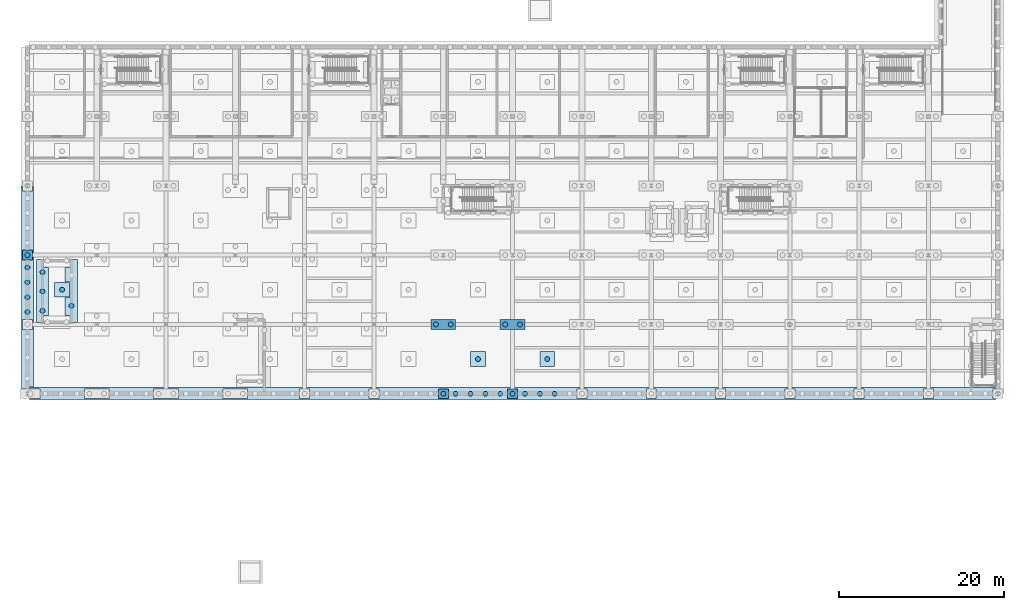
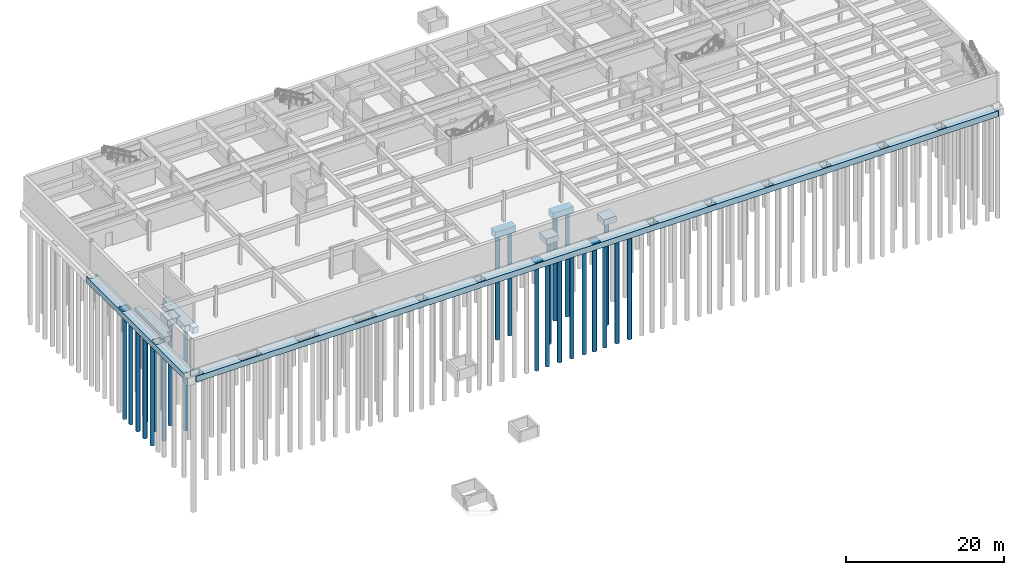
# One storey, part 2 of 33: 25 piles, 12 footings.
"""IFC4 building model written with IfcOpenShell, lengths in metres."""

from ifc_helpers import new_model, si_unit, direction, frame, origin, origin_2d, place, context, subcontext, project, spatial, polyline, circle, outline, extrude, material, layer, layer_set, material_profile, profile_set, type_object, element, save


model = new_model("IFC4")

# Units and contexts
model_context = context("Model", 3, precision=1e-05, world=origin(), true_north=direction((0.0, 1.0)))
body_context = subcontext(model_context, "Body", "Model", "MODEL_VIEW")
ifc_project = project(units=[si_unit("LENGTHUNIT", "METRE"), si_unit("AREAUNIT", "SQUARE_METRE"), si_unit("VOLUMEUNIT", "CUBIC_METRE"), si_unit("PLANEANGLEUNIT", "RADIAN"), si_unit("MASSUNIT", "GRAM", prefix="KILO")], contexts=[model_context])

# Site, building, storey
site_placement = place(None, origin())
site = spatial("IfcSite", under=ifc_project, at=site_placement, CompositionType="ELEMENT")
building_placement = place(site_placement, origin())
building = spatial("IfcBuilding", under=site, at=building_placement, Name="Ljudholm Concert House", CompositionType="ELEMENT")
storey_placement = place(building_placement, frame((0.0, 0.0, -4.60009765625)))
storey = spatial("IfcBuildingStorey", under=building, at=storey_placement, Name="B1", CompositionType="ELEMENT", Elevation=-4.60009765625)

# Piles
ifc_material_1 = material(Name="Concrete 5,000 psi", Category="concrete")
ifc_material_profile = material_profile(ifc_material_1, circle(Radius=0.300048828125, at=origin_2d()), Name="AUGER-CAST PILE D600")
ifc_profile_set = profile_set([ifc_material_profile], Name="Concrete 5,000 psi")
pile_type = type_object("IfcPileType", Name="AUGER-CAST PILE D600", PredefinedType="BORED", material=ifc_profile_set)
for number, where, z_axis, x_axis, name in (
    (1, (4.0, 121.60009765625, -1.89990234375), (0.0, 0.0, -1.0), (1.0, 0.0, 0.0), "Pile D600"),
    (2, (54.39990234375, 104.800048828125, -1.89990234375), (0.0, 0.0, -1.0), (1.0, 0.0, 0.0), "Pile D600"),
    (3, (53.5, 113.199951171875, -1.89990234375), (0.0, 0.0, -1.0), (1.0, 0.0, 0.0), "Pile D600"),
    (4, (55.300048828125, 113.199951171875, -1.89990234375), (0.0, 0.0, -1.0), (1.0, 0.0, 0.0), "Pile D600"),
    (5, (62.800048828125, 104.800048828125, -1.89990234375), (0.0, 0.0, -1.0), (1.0, 0.0, 0.0), "Pile D600"),
    (6, (61.89990234375, 113.199951171875, -1.89990234375), (0.0, 0.0, -1.0), (1.0, 0.0, 0.0), "Pile D600"),
    (7, (63.699951171875, 113.199951171875, -1.89990234375), (0.0, 0.0, -1.0), (1.0, 0.0, 0.0), "Pile D600"),
    (8, (55.89990234375, 104.800048828125, -1.7998046875), (0.0, 0.0, -1.0), (1.0, 0.0, 0.0), "Pile D600"),
    (9, (57.699951171875, 104.800048828125, -1.7998046875), (0.0, 0.0, -1.0), (1.0, 0.0, 0.0), "Pile D600"),
    (10, (59.5, 104.800048828125, -1.7998046875), (0.0, 0.0, -1.0), (1.0, 0.0, 0.0), "Pile D600"),
    (11, (61.300048828125, 104.800048828125, -1.7998046875), (0.0, 0.0, -1.0), (1.0, 0.0, 0.0), "Pile D600"),
    (12, (64.300048828125, 104.800048828125, -1.7998046875), (0.0, 0.0, -1.0), (1.0, 0.0, 0.0), "Pile D600"),
    (13, (66.10009765625, 104.800048828125, -1.7998046875), (0.0, 0.0, -1.0), (1.0, 0.0, 0.0), "Pile D600"),
    (14, (67.89990234375, 104.800048828125, -1.7998046875), (0.0, 0.0, -1.0), (1.0, 0.0, 0.0), "Pile D600"),
    (15, (4.0, 114.699951171875, -1.7998046875), (0.0, 0.0, -1.0), (1.0, 0.0, 0.0), "Pile D600"),
    (16, (4.0, 116.5, -1.7998046875), (0.0, 0.0, -1.0), (1.0, 0.0, 0.0), "Pile D600"),
    (17, (4.0, 118.300048828125, -1.7998046875), (0.0, 0.0, -1.0), (1.0, 0.0, 0.0), "Pile D600"),
    (18, (4.0, 120.10009765625, -1.7998046875), (0.0, 0.0, -1.0), (1.0, 0.0, 0.0), "Pile D600"),
    (19, (58.60009765625, 109.0, -1.7998046875), (0.0, 0.0, -1.0), (1.0, 0.0, 0.0), "Pile D600"),
    (20, (67.0, 109.0, -1.7998046875), (0.0, 0.0, -1.0), (1.0, 0.0, 0.0), "Pile D600"),
    (21, (8.199951171875, 117.39990234375, -1.7998046875), (0.0, 0.0, -1.0), (1.0, 0.0, 0.0), "Pile D600"),
    (22, (9.324951171875, 115.452880859375, -1.7998046875), (0.0, 0.0, -1.0), (1.0, 0.0, 0.0), "Pile D600"),
    (23, (5.824951171875, 114.849365234375, -1.7998046875), (0.0, 0.0, -1.0), (1.0, 0.0, 0.0), "Pile D600"),
    (24, (5.824951171875, 117.199951171875, -1.7998046875), (0.0, 0.0, -1.0), (1.0, 0.0, 0.0), "Pile D600"),
    (25, (5.824951171875, 119.55078125, -1.7998046875), (0.0, 0.0, -1.0), (1.0, 0.0, 0.0), "Pile D600"),
):
    element("IfcPile", number, at=place(storey_placement, frame(where, z_axis=z_axis, x_axis=x_axis)), inside=storey, type_object=pile_type, Name=name, PredefinedType="BORED", context=body_context, shape_type="SweptSolid", body=[
        extrude(circle(Radius=0.300048828125, at=origin_2d()), origin(), (0.0, 0.0, 1.0), 16.0),
    ])

# Footings
ifc_material_2 = material(Name="Concrete 5,000 psi", Category="concrete")
ifc_layer_1 = layer(ifc_material_2, 1.0)
ifc_layer_set_1 = layer_set([ifc_layer_1], Name="Concrete 5,000 psi")
footing_type_1 = type_object("IfcFootingType", Name="RC PILE CAP 1200x1200x1000", PredefinedType="PILE_CAP", material=ifc_layer_set_1)
footing_1_placement = place(storey_placement, frame((0.0, 0.0, -1.89990234375)))
element("IfcFooting", 26, at=footing_1_placement, inside=storey, type_object=footing_type_1, Name="Pile cap", PredefinedType="PILE_CAP", context=body_context, shape_type="SweptSolid", body=[
    extrude(outline(polyline([(3.39990234375, 122.18994140625), (3.39990234375, 121.010009765625), (3.40087890625, 121.006103515625), (3.40283203125, 121.0029296875), (3.40625, 121.000732421875), (3.409912109375, 121.0), (4.590087890625, 121.0), (4.59375, 121.000732421875), (4.59716796875, 121.0029296875), (4.59912109375, 121.006103515625), (4.60009765625, 121.010009765625), (4.60009765625, 122.18994140625), (4.59912109375, 122.19384765625), (4.59716796875, 122.197021484375), (4.59375, 122.19921875), (4.590087890625, 122.199951171875), (3.409912109375, 122.199951171875), (3.40625, 122.19921875), (3.40283203125, 122.197021484375), (3.40087890625, 122.19384765625), (3.39990234375, 122.18994140625)])), origin(), (0.0, 0.0, 1.0), 1.0),
])
footing_2_placement = place(storey_placement, frame((0.0, 0.0, -1.89990234375)))
element("IfcFooting", 27, at=footing_2_placement, inside=storey, type_object=footing_type_1, Name="Pile cap", PredefinedType="PILE_CAP", context=body_context, shape_type="SweptSolid", body=[
    extrude(outline(polyline([(53.81005859375, 104.199951171875), (54.989990234375, 104.199951171875), (54.993896484375, 104.20068359375), (54.9970703125, 104.202880859375), (54.999267578125, 104.2060546875), (55.0, 104.2099609375), (55.0, 105.389892578125), (54.999267578125, 105.393798828125), (54.9970703125, 105.39697265625), (54.993896484375, 105.399169921875), (54.989990234375, 105.39990234375), (53.81005859375, 105.39990234375), (53.80615234375, 105.399169921875), (53.802978515625, 105.39697265625), (53.80078125, 105.393798828125), (53.800048828125, 105.389892578125), (53.800048828125, 104.2099609375), (53.80078125, 104.2060546875), (53.802978515625, 104.202880859375), (53.80615234375, 104.20068359375), (53.81005859375, 104.199951171875)])), origin(), (0.0, 0.0, 1.0), 1.0),
])
footing_3_placement = place(storey_placement, frame((0.0, 0.0, -1.89990234375)))
element("IfcFooting", 28, at=footing_3_placement, inside=storey, type_object=footing_type_1, Name="Pile cap", PredefinedType="PILE_CAP", context=body_context, shape_type="SweptSolid", body=[
    extrude(outline(polyline([(62.2099609375, 104.199951171875), (63.389892578125, 104.199951171875), (63.393798828125, 104.20068359375), (63.39697265625, 104.202880859375), (63.399169921875, 104.2060546875), (63.39990234375, 104.2099609375), (63.39990234375, 105.389892578125), (63.399169921875, 105.393798828125), (63.39697265625, 105.39697265625), (63.393798828125, 105.399169921875), (63.389892578125, 105.39990234375), (62.2099609375, 105.39990234375), (62.2060546875, 105.399169921875), (62.202880859375, 105.39697265625), (62.20068359375, 105.393798828125), (62.199951171875, 105.389892578125), (62.199951171875, 104.2099609375), (62.20068359375, 104.2060546875), (62.202880859375, 104.202880859375), (62.2060546875, 104.20068359375), (62.2099609375, 104.199951171875)])), origin(), (0.0, 0.0, 1.0), 1.0),
])
ifc_material_3 = material(Name="Concrete 5,000 psi", Category="concrete")
ifc_layer_2 = layer(ifc_material_3, 0.89990234375)
ifc_layer_set_2 = layer_set([ifc_layer_2], Name="Concrete 5,000 psi")
footing_type_2 = type_object("IfcFootingType", Name="RC PILE CAP 1800x1800x900", PredefinedType="PILE_CAP", material=ifc_layer_set_2)
footing_4_placement = place(storey_placement, frame((0.0, 0.0, -1.7998046875)))
element("IfcFooting", 29, at=footing_4_placement, inside=storey, type_object=footing_type_2, Name="Uplift pile cap", PredefinedType="PILE_CAP", context=body_context, shape_type="SweptSolid", body=[
    extrude(outline(polyline([(57.7099609375, 108.10009765625), (59.489990234375, 108.10009765625), (59.493896484375, 108.100830078125), (59.4970703125, 108.10302734375), (59.499267578125, 108.106201171875), (59.5, 108.110107421875), (59.5, 109.889892578125), (59.499267578125, 109.893798828125), (59.4970703125, 109.89697265625), (59.493896484375, 109.899169921875), (59.489990234375, 109.89990234375), (57.7099609375, 109.89990234375), (57.7060546875, 109.899169921875), (57.702880859375, 109.89697265625), (57.70068359375, 109.893798828125), (57.699951171875, 109.889892578125), (57.699951171875, 108.110107421875), (57.70068359375, 108.106201171875), (57.702880859375, 108.10302734375), (57.7060546875, 108.100830078125), (57.7099609375, 108.10009765625)])), origin(), (0.0, 0.0, 1.0), 0.89990234375),
])
footing_5_placement = place(storey_placement, frame((0.0, 0.0, -1.7998046875)))
element("IfcFooting", 30, at=footing_5_placement, inside=storey, type_object=footing_type_2, Name="Uplift pile cap", PredefinedType="PILE_CAP", context=body_context, shape_type="SweptSolid", body=[
    extrude(outline(polyline([(66.110107421875, 108.10009765625), (67.889892578125, 108.10009765625), (67.893798828125, 108.100830078125), (67.89697265625, 108.10302734375), (67.899169921875, 108.106201171875), (67.89990234375, 108.110107421875), (67.89990234375, 109.889892578125), (67.899169921875, 109.893798828125), (67.89697265625, 109.89697265625), (67.893798828125, 109.899169921875), (67.889892578125, 109.89990234375), (66.110107421875, 109.89990234375), (66.106201171875, 109.899169921875), (66.10302734375, 109.89697265625), (66.100830078125, 109.893798828125), (66.10009765625, 109.889892578125), (66.10009765625, 108.110107421875), (66.100830078125, 108.106201171875), (66.10302734375, 108.10302734375), (66.106201171875, 108.100830078125), (66.110107421875, 108.10009765625)])), origin(), (0.0, 0.0, 1.0), 0.89990234375),
])
footing_6_placement = place(storey_placement, frame((0.0, 0.0, -1.7998046875)))
element("IfcFooting", 31, at=footing_6_placement, inside=storey, type_object=footing_type_2, Name="Uplift pile cap", PredefinedType="PILE_CAP", context=body_context, shape_type="SweptSolid", body=[
    extrude(outline(polyline([(7.31005859375, 116.5), (9.090087890625, 116.5), (9.09375, 116.500732421875), (9.09716796875, 116.5029296875), (9.09912109375, 116.506103515625), (9.10009765625, 116.510009765625), (9.10009765625, 118.2900390625), (9.09912109375, 118.2939453125), (9.09716796875, 118.297119140625), (9.09375, 118.29931640625), (9.090087890625, 118.300048828125), (7.31005859375, 118.300048828125), (7.30615234375, 118.29931640625), (7.302978515625, 118.297119140625), (7.30078125, 118.2939453125), (7.300048828125, 118.2900390625), (7.300048828125, 116.510009765625), (7.30078125, 116.506103515625), (7.302978515625, 116.5029296875), (7.30615234375, 116.500732421875), (7.31005859375, 116.5)])), origin(), (0.0, 0.0, 1.0), 0.89990234375),
])
ifc_material_4 = material(Name="Concrete 5,000 psi", Category="concrete")
ifc_layer_3 = layer(ifc_material_4, 1.0)
ifc_layer_set_3 = layer_set([ifc_layer_3], Name="Concrete 5,000 psi")
footing_type_3 = type_object("IfcFootingType", Name="RC PILE CAP 3000x1200x1000", PredefinedType="PILE_CAP", material=ifc_layer_set_3)
footing_7_placement = place(storey_placement, frame((0.0, 0.0, -1.89990234375)))
element("IfcFooting", 32, at=footing_7_placement, inside=storey, type_object=footing_type_3, Name="Pile cap", PredefinedType="PILE_CAP", context=body_context, shape_type="SweptSolid", body=[
    extrude(outline(polyline([(52.89990234375, 113.7900390625), (52.89990234375, 112.610107421875), (52.901611328125, 112.6044921875), (52.90625, 112.600830078125), (52.909912109375, 112.60009765625), (55.889892578125, 112.60009765625), (55.8955078125, 112.601806640625), (55.899169921875, 112.606201171875), (55.89990234375, 112.610107421875), (55.89990234375, 113.7900390625), (55.898193359375, 113.795654296875), (55.893798828125, 113.79931640625), (55.889892578125, 113.800048828125), (52.909912109375, 113.800048828125), (52.90625, 113.79931640625), (52.90283203125, 113.797119140625), (52.90087890625, 113.7939453125), (52.89990234375, 113.7900390625)])), origin(), (0.0, 0.0, 1.0), 1.0),
])
footing_8_placement = place(storey_placement, frame((0.0, 0.0, -1.89990234375)))
element("IfcFooting", 33, at=footing_8_placement, inside=storey, type_object=footing_type_3, Name="Pile cap", PredefinedType="PILE_CAP", context=body_context, shape_type="SweptSolid", body=[
    extrude(outline(polyline([(61.300048828125, 113.7900390625), (61.300048828125, 112.610107421875), (61.3017578125, 112.6044921875), (61.30615234375, 112.600830078125), (61.31005859375, 112.60009765625), (64.2900390625, 112.60009765625), (64.295654296875, 112.601806640625), (64.29931640625, 112.606201171875), (64.300048828125, 112.610107421875), (64.300048828125, 113.7900390625), (64.29833984375, 113.795654296875), (64.2939453125, 113.79931640625), (64.2900390625, 113.800048828125), (61.31005859375, 113.800048828125), (61.30615234375, 113.79931640625), (61.302978515625, 113.797119140625), (61.30078125, 113.7939453125), (61.300048828125, 113.7900390625)])), origin(), (0.0, 0.0, 1.0), 1.0),
])
ifc_material_5 = material(Name="Concrete 5,000 psi", Category="concrete")
ifc_layer_4 = layer(ifc_material_5, 0.89990234375)
ifc_layer_set_4 = layer_set([ifc_layer_4], Name="Concrete 5,000 psi")
footing_type_4 = type_object("IfcFootingType", Name="RC STRIP FOOTING 1500x900", PredefinedType="STRIP_FOOTING", material=ifc_layer_set_4)
footing_9_placement = place(storey_placement, frame((0.0, 0.0, -1.7998046875)))
element("IfcFooting", 34, at=footing_9_placement, inside=storey, type_object=footing_type_4, Name="Strip footing", PredefinedType="STRIP_FOOTING", context=body_context, shape_type="SweptSolid", body=[
    extrude(outline(polyline([(4.260009765625, 104.050048828125), (121.340087890625, 104.050048828125), (121.34375, 104.05078125), (121.34716796875, 104.052978515625), (121.34912109375, 104.05615234375), (121.35009765625, 104.06005859375), (121.35009765625, 104.18994140625), (121.348388671875, 104.195556640625), (121.34375, 104.19921875), (121.340087890625, 104.199951171875), (121.01025390625, 104.199951171875), (121.00439453125, 104.20166015625), (121.001708984375, 104.204345703125), (121.00048828125, 104.20703125), (121.0, 105.3896484375), (121.000732421875, 105.393798828125), (121.0029296875, 105.39697265625), (121.006103515625, 105.399169921875), (121.01025390625, 105.39990234375), (121.340087890625, 105.39990234375), (121.34375, 105.40087890625), (121.348388671875, 105.404541015625), (121.35009765625, 105.409912109375), (121.35009765625, 105.5400390625), (121.34912109375, 105.5439453125), (121.34716796875, 105.547119140625), (121.34375, 105.54931640625), (121.340087890625, 105.550048828125), (4.260009765625, 105.550048828125), (4.256103515625, 105.54931640625), (4.2529296875, 105.547119140625), (4.250732421875, 105.5439453125), (4.25, 105.5400390625), (4.25, 105.408935546875), (4.251220703125, 105.4052734375), (4.2529296875, 105.40283203125), (4.256103515625, 105.40087890625), (4.259033203125, 105.400146484375), (5.48974609375, 105.39990234375), (5.493896484375, 105.399169921875), (5.4970703125, 105.39697265625), (5.499267578125, 105.393798828125), (5.5, 105.3896484375), (5.5, 104.210205078125), (5.499267578125, 104.206298828125), (5.4970703125, 104.202880859375), (5.493896484375, 104.20068359375), (5.48974609375, 104.199951171875), (4.259033203125, 104.199951171875), (4.256103515625, 104.19921875), (4.2529296875, 104.197021484375), (4.251220703125, 104.19482421875), (4.25, 104.19091796875), (4.25, 104.06005859375), (4.250732421875, 104.05615234375), (4.2529296875, 104.052978515625), (4.256103515625, 104.05078125), (4.260009765625, 104.050048828125)]), holes=[polyline([(112.60009765625, 104.210205078125), (112.60009765625, 105.3896484375), (112.600830078125, 105.393798828125), (112.60302734375, 105.39697265625), (112.606201171875, 105.399169921875), (112.6103515625, 105.39990234375), (113.789794921875, 105.39990234375), (113.793701171875, 105.399169921875), (113.797119140625, 105.39697265625), (113.79931640625, 105.393798828125), (113.800048828125, 105.3896484375), (113.800048828125, 104.210205078125), (113.79931640625, 104.206298828125), (113.797119140625, 104.202880859375), (113.793701171875, 104.20068359375), (113.789794921875, 104.199951171875), (112.6103515625, 104.199951171875), (112.606201171875, 104.20068359375), (112.60302734375, 104.202880859375), (112.600830078125, 104.206298828125), (112.60009765625, 104.210205078125)]), polyline([(104.199951171875, 104.210205078125), (104.199951171875, 105.3896484375), (104.20068359375, 105.393798828125), (104.202880859375, 105.39697265625), (104.206298828125, 105.399169921875), (104.210205078125, 105.39990234375), (105.3896484375, 105.39990234375), (105.393798828125, 105.399169921875), (105.39697265625, 105.39697265625), (105.399169921875, 105.393798828125), (105.39990234375, 105.3896484375), (105.39990234375, 104.210205078125), (105.399169921875, 104.206298828125), (105.39697265625, 104.202880859375), (105.393798828125, 104.20068359375), (105.3896484375, 104.199951171875), (104.210205078125, 104.199951171875), (104.206298828125, 104.20068359375), (104.202880859375, 104.202880859375), (104.20068359375, 104.206298828125), (104.199951171875, 104.210205078125)]), polyline([(95.800048828125, 104.210205078125), (95.800048828125, 105.3896484375), (95.80078125, 105.393798828125), (95.802978515625, 105.39697265625), (95.80615234375, 105.399169921875), (95.810302734375, 105.39990234375), (96.98974609375, 105.39990234375), (96.993896484375, 105.399169921875), (96.9970703125, 105.39697265625), (96.999267578125, 105.393798828125), (97.0, 105.3896484375), (97.0, 104.210205078125), (96.999267578125, 104.206298828125), (96.9970703125, 104.202880859375), (96.993896484375, 104.20068359375), (96.98974609375, 104.199951171875), (95.810302734375, 104.199951171875), (95.80615234375, 104.20068359375), (95.802978515625, 104.202880859375), (95.80078125, 104.206298828125), (95.800048828125, 104.210205078125)]), polyline([(87.39990234375, 104.210205078125), (87.39990234375, 105.3896484375), (87.40087890625, 105.393798828125), (87.40283203125, 105.39697265625), (87.40625, 105.399169921875), (87.41015625, 105.39990234375), (88.58984375, 105.39990234375), (88.59375, 105.399169921875), (88.59716796875, 105.39697265625), (88.59912109375, 105.393798828125), (88.60009765625, 105.3896484375), (88.60009765625, 104.210205078125), (88.59912109375, 104.206298828125), (88.59716796875, 104.202880859375), (88.59375, 104.20068359375), (88.58984375, 104.199951171875), (87.41015625, 104.199951171875), (87.40625, 104.20068359375), (87.40283203125, 104.202880859375), (87.40087890625, 104.206298828125), (87.39990234375, 104.210205078125)]), polyline([(79.0, 104.210205078125), (79.0, 105.3896484375), (79.000732421875, 105.393798828125), (79.0029296875, 105.39697265625), (79.006103515625, 105.399169921875), (79.01025390625, 105.39990234375), (80.189697265625, 105.39990234375), (80.19384765625, 105.399169921875), (80.197021484375, 105.39697265625), (80.19921875, 105.393798828125), (80.199951171875, 105.3896484375), (80.199951171875, 104.210205078125), (80.19921875, 104.206298828125), (80.197021484375, 104.202880859375), (80.19384765625, 104.20068359375), (80.189697265625, 104.199951171875), (79.01025390625, 104.199951171875), (79.006103515625, 104.20068359375), (79.0029296875, 104.202880859375), (79.000732421875, 104.206298828125), (79.0, 104.210205078125)]), polyline([(70.60009765625, 104.210205078125), (70.60009765625, 105.3896484375), (70.600830078125, 105.393798828125), (70.60302734375, 105.39697265625), (70.606201171875, 105.399169921875), (70.6103515625, 105.39990234375), (71.789794921875, 105.39990234375), (71.793701171875, 105.399169921875), (71.797119140625, 105.39697265625), (71.79931640625, 105.393798828125), (71.800048828125, 105.3896484375), (71.800048828125, 104.210205078125), (71.79931640625, 104.206298828125), (71.797119140625, 104.202880859375), (71.793701171875, 104.20068359375), (71.789794921875, 104.199951171875), (70.6103515625, 104.199951171875), (70.606201171875, 104.20068359375), (70.60302734375, 104.202880859375), (70.600830078125, 104.206298828125), (70.60009765625, 104.210205078125)]), polyline([(62.199951171875, 104.210205078125), (62.199951171875, 105.3896484375), (62.20068359375, 105.393798828125), (62.202880859375, 105.39697265625), (62.206298828125, 105.399169921875), (62.210205078125, 105.39990234375), (63.3896484375, 105.39990234375), (63.393798828125, 105.399169921875), (63.39697265625, 105.39697265625), (63.399169921875, 105.393798828125), (63.39990234375, 105.3896484375), (63.39990234375, 104.210205078125), (63.399169921875, 104.206298828125), (63.39697265625, 104.202880859375), (63.393798828125, 104.20068359375), (63.3896484375, 104.199951171875), (62.210205078125, 104.199951171875), (62.206298828125, 104.20068359375), (62.202880859375, 104.202880859375), (62.20068359375, 104.206298828125), (62.199951171875, 104.210205078125)]), polyline([(53.800048828125, 104.210205078125), (53.800048828125, 105.3896484375), (53.80078125, 105.393798828125), (53.802978515625, 105.39697265625), (53.80615234375, 105.399169921875), (53.810302734375, 105.39990234375), (54.98974609375, 105.39990234375), (54.993896484375, 105.399169921875), (54.9970703125, 105.39697265625), (54.999267578125, 105.393798828125), (55.0, 105.3896484375), (55.0, 104.210205078125), (54.999267578125, 104.206298828125), (54.9970703125, 104.202880859375), (54.993896484375, 104.20068359375), (54.98974609375, 104.199951171875), (53.810302734375, 104.199951171875), (53.80615234375, 104.20068359375), (53.802978515625, 104.202880859375), (53.80078125, 104.206298828125), (53.800048828125, 104.210205078125)]), polyline([(45.39990234375, 104.210205078125), (45.39990234375, 105.3896484375), (45.40087890625, 105.393798828125), (45.40283203125, 105.39697265625), (45.40625, 105.399169921875), (45.41015625, 105.39990234375), (46.58984375, 105.39990234375), (46.59375, 105.399169921875), (46.59716796875, 105.39697265625), (46.59912109375, 105.393798828125), (46.60009765625, 105.3896484375), (46.60009765625, 104.210205078125), (46.59912109375, 104.206298828125), (46.59716796875, 104.202880859375), (46.59375, 104.20068359375), (46.58984375, 104.199951171875), (45.41015625, 104.199951171875), (45.40625, 104.20068359375), (45.40283203125, 104.202880859375), (45.40087890625, 104.206298828125), (45.39990234375, 104.210205078125)]), polyline([(37.0, 104.210205078125), (37.0, 105.3896484375), (37.000732421875, 105.393798828125), (37.0029296875, 105.39697265625), (37.006103515625, 105.399169921875), (37.01025390625, 105.39990234375), (38.189697265625, 105.39990234375), (38.19384765625, 105.399169921875), (38.197021484375, 105.39697265625), (38.19921875, 105.393798828125), (38.199951171875, 105.3896484375), (38.199951171875, 104.210205078125), (38.19921875, 104.206298828125), (38.197021484375, 104.202880859375), (38.19384765625, 104.20068359375), (38.189697265625, 104.199951171875), (37.01025390625, 104.199951171875), (37.006103515625, 104.20068359375), (37.0029296875, 104.202880859375), (37.000732421875, 104.206298828125), (37.0, 104.210205078125)]), polyline([(27.699951171875, 104.210205078125), (27.699951171875, 105.3896484375), (27.70166015625, 105.3955078125), (27.706298828125, 105.399169921875), (27.710205078125, 105.39990234375), (30.689697265625, 105.39990234375), (30.695556640625, 105.398193359375), (30.69921875, 105.393798828125), (30.699951171875, 105.3896484375), (30.699951171875, 104.210205078125), (30.6982421875, 104.204345703125), (30.69384765625, 104.20068359375), (30.689697265625, 104.199951171875), (27.710205078125, 104.199951171875), (27.706298828125, 104.20068359375), (27.702880859375, 104.202880859375), (27.70068359375, 104.206298828125), (27.699951171875, 104.210205078125)]), polyline([(19.300048828125, 104.210205078125), (19.300048828125, 105.3896484375), (19.3017578125, 105.3955078125), (19.30615234375, 105.399169921875), (19.310302734375, 105.39990234375), (22.289794921875, 105.39990234375), (22.295654296875, 105.398193359375), (22.29931640625, 105.393798828125), (22.300048828125, 105.3896484375), (22.300048828125, 104.210205078125), (22.29833984375, 104.204345703125), (22.293701171875, 104.20068359375), (22.289794921875, 104.199951171875), (19.310302734375, 104.199951171875), (19.30615234375, 104.20068359375), (19.302978515625, 104.202880859375), (19.30078125, 104.206298828125), (19.300048828125, 104.210205078125)]), polyline([(10.89990234375, 104.210205078125), (10.89990234375, 105.3896484375), (10.901611328125, 105.3955078125), (10.90625, 105.399169921875), (10.91015625, 105.39990234375), (13.8896484375, 105.39990234375), (13.8955078125, 105.398193359375), (13.899169921875, 105.393798828125), (13.89990234375, 105.3896484375), (13.89990234375, 104.210205078125), (13.898193359375, 104.204345703125), (13.893798828125, 104.20068359375), (13.8896484375, 104.199951171875), (10.91015625, 104.199951171875), (10.90625, 104.20068359375), (10.90283203125, 104.202880859375), (10.90087890625, 104.206298828125), (10.89990234375, 104.210205078125)])]), origin(), (0.0, 0.0, 1.0), 0.89990234375),
])
footing_10_placement = place(storey_placement, frame((0.0, 0.0, -1.7998046875)))
element("IfcFooting", 35, at=footing_10_placement, inside=storey, type_object=footing_type_4, Name="Strip footing", PredefinedType="STRIP_FOOTING", context=body_context, shape_type="SweptSolid", body=[
    extrude(outline(polyline([(3.25, 129.989990234375), (3.25, 105.409912109375), (3.250732421875, 105.40625), (3.2529296875, 105.40283203125), (3.256103515625, 105.40087890625), (3.260009765625, 105.39990234375), (4.18994140625, 105.39990234375), (4.19384765625, 105.40087890625), (4.197021484375, 105.40283203125), (4.19873046875, 105.4052734375), (4.199951171875, 105.408935546875), (4.199951171875, 105.58984375), (4.20166015625, 105.595458984375), (4.206298828125, 105.59912109375), (4.210205078125, 105.60009765625), (4.739990234375, 105.60009765625), (4.743896484375, 105.600830078125), (4.7470703125, 105.60302734375), (4.749267578125, 105.606201171875), (4.75, 105.610107421875), (4.75, 129.989990234375), (4.749267578125, 129.993896484375), (4.7470703125, 129.9970703125), (4.743896484375, 129.999267578125), (4.739990234375, 130.0), (4.609130859375, 130.0), (4.603759765625, 129.997802734375), (4.600341796875, 129.992919921875), (4.60009765625, 129.41015625), (4.598388671875, 129.404541015625), (4.59375, 129.40087890625), (4.58984375, 129.39990234375), (3.41015625, 129.39990234375), (3.40625, 129.40087890625), (3.40283203125, 129.40283203125), (3.40087890625, 129.40625), (3.39990234375, 129.41015625), (3.399658203125, 129.992919921875), (3.396240234375, 129.997802734375), (3.390869140625, 130.0), (3.260009765625, 130.0), (3.256103515625, 129.999267578125), (3.2529296875, 129.9970703125), (3.250732421875, 129.993896484375), (3.25, 129.989990234375)]), holes=[polyline([(3.39990234375, 112.6103515625), (3.39990234375, 113.789794921875), (3.40087890625, 113.793701171875), (3.40283203125, 113.797119140625), (3.40625, 113.79931640625), (3.41015625, 113.800048828125), (4.58984375, 113.800048828125), (4.59375, 113.79931640625), (4.59716796875, 113.797119140625), (4.59912109375, 113.793701171875), (4.60009765625, 113.789794921875), (4.60009765625, 112.6103515625), (4.59912109375, 112.606201171875), (4.59716796875, 112.60302734375), (4.59375, 112.600830078125), (4.58984375, 112.60009765625), (3.41015625, 112.60009765625), (3.40625, 112.600830078125), (3.40283203125, 112.60302734375), (3.40087890625, 112.606201171875), (3.39990234375, 112.6103515625)]), polyline([(3.39990234375, 121.01025390625), (3.39990234375, 122.189697265625), (3.40087890625, 122.19384765625), (3.40283203125, 122.197021484375), (3.40625, 122.19921875), (3.41015625, 122.199951171875), (4.58984375, 122.199951171875), (4.59375, 122.19921875), (4.59716796875, 122.197021484375), (4.59912109375, 122.19384765625), (4.60009765625, 122.189697265625), (4.60009765625, 121.01025390625), (4.59912109375, 121.006103515625), (4.59716796875, 121.0029296875), (4.59375, 121.000732421875), (4.58984375, 121.0), (3.41015625, 121.0), (3.40625, 121.000732421875), (3.40283203125, 121.0029296875), (3.40087890625, 121.006103515625), (3.39990234375, 121.01025390625)])]), origin(), (0.0, 0.0, 1.0), 0.89990234375),
])
footing_11_placement = place(storey_placement, frame((0.0, 0.0, -1.7998046875)))
element("IfcFooting", 36, at=footing_11_placement, inside=storey, type_object=footing_type_4, Name="Strip footing", PredefinedType="STRIP_FOOTING", context=body_context, shape_type="SweptSolid", body=[
    extrude(outline(polyline([(8.574951171875, 120.114990234375), (8.575439453125, 118.357177734375), (8.57666015625, 118.3544921875), (8.579345703125, 118.351806640625), (8.5849609375, 118.35009765625), (9.094970703125, 118.349853515625), (9.11328125, 118.34619140625), (9.133056640625, 118.3330078125), (9.146240234375, 118.313232421875), (9.14990234375, 118.293701171875), (9.14990234375, 116.50634765625), (9.146484375, 116.487548828125), (9.13427734375, 116.46875), (9.13134765625, 116.465576171875), (9.11328125, 116.453857421875), (9.094970703125, 116.449951171875), (8.5849609375, 116.449951171875), (8.5810546875, 116.44921875), (8.577880859375, 116.447021484375), (8.576171875, 116.44482421875), (8.574951171875, 116.44091796875), (8.5751953125, 114.282958984375), (8.57666015625, 114.279541015625), (8.57861328125, 114.27734375), (8.5810546875, 114.27587890625), (8.5849609375, 114.27490234375), (9.21484375, 114.27490234375), (9.21875, 114.274169921875), (9.22265625, 114.271240234375), (9.224609375, 114.267822265625), (9.22509765625, 114.2646484375), (9.22509765625, 113.4599609375), (9.226806640625, 113.454345703125), (9.230224609375, 113.451171875), (9.235107421875, 113.449951171875), (10.06689453125, 113.4501953125), (10.06982421875, 113.451171875), (10.07275390625, 113.45361328125), (10.074462890625, 113.45703125), (10.074951171875, 113.4599609375), (10.074951171875, 121.0400390625), (10.0732421875, 121.045654296875), (10.06982421875, 121.048828125), (10.06494140625, 121.050048828125), (9.235107421875, 121.050048828125), (9.2294921875, 121.04833984375), (9.22607421875, 121.044677734375), (9.22509765625, 121.0400390625), (9.22509765625, 120.13525390625), (9.223388671875, 120.12939453125), (9.2197265625, 120.126220703125), (9.21484375, 120.125), (8.5849609375, 120.125), (8.5810546875, 120.124267578125), (8.577880859375, 120.1220703125), (8.57568359375, 120.118896484375), (8.574951171875, 120.114990234375)])), origin(), (0.0, 0.0, 1.0), 0.89990234375),
])
footing_12_placement = place(storey_placement, frame((0.0, 0.0, -1.7998046875)))
element("IfcFooting", 37, at=footing_12_placement, inside=storey, type_object=footing_type_4, Name="Strip footing", PredefinedType="STRIP_FOOTING", context=body_context, shape_type="SweptSolid", body=[
    extrude(outline(polyline([(5.0849609375, 113.449951171875), (5.9150390625, 113.449951171875), (5.919677734375, 113.451171875), (5.92333984375, 113.454345703125), (5.925048828125, 113.4599609375), (5.925048828125, 114.2646484375), (5.925537109375, 114.267822265625), (5.92724609375, 114.271240234375), (5.93115234375, 114.274169921875), (5.935302734375, 114.27490234375), (6.56494140625, 114.27490234375), (6.56884765625, 114.27587890625), (6.572021484375, 114.27783203125), (6.57373046875, 114.2802734375), (6.574951171875, 114.283935546875), (6.574951171875, 120.115966796875), (6.57373046875, 120.11962890625), (6.572021484375, 120.1220703125), (6.56884765625, 120.124267578125), (6.56494140625, 120.125), (5.935302734375, 120.125), (5.93017578125, 120.126220703125), (5.9267578125, 120.12939453125), (5.925048828125, 120.13525390625), (5.925048828125, 121.0400390625), (5.92431640625, 121.0439453125), (5.922119140625, 121.047119140625), (5.9189453125, 121.04931640625), (5.916015625, 121.050048828125), (5.0849609375, 121.050048828125), (5.0810546875, 121.04931640625), (5.077880859375, 121.047119140625), (5.076171875, 121.044677734375), (5.074951171875, 121.041015625), (5.074951171875, 113.4599609375), (5.07568359375, 113.4560546875), (5.077880859375, 113.452880859375), (5.0810546875, 113.45068359375), (5.0849609375, 113.449951171875)])), origin(), (0.0, 0.0, 1.0), 0.89990234375),
])

save(model, "model.ifc")
